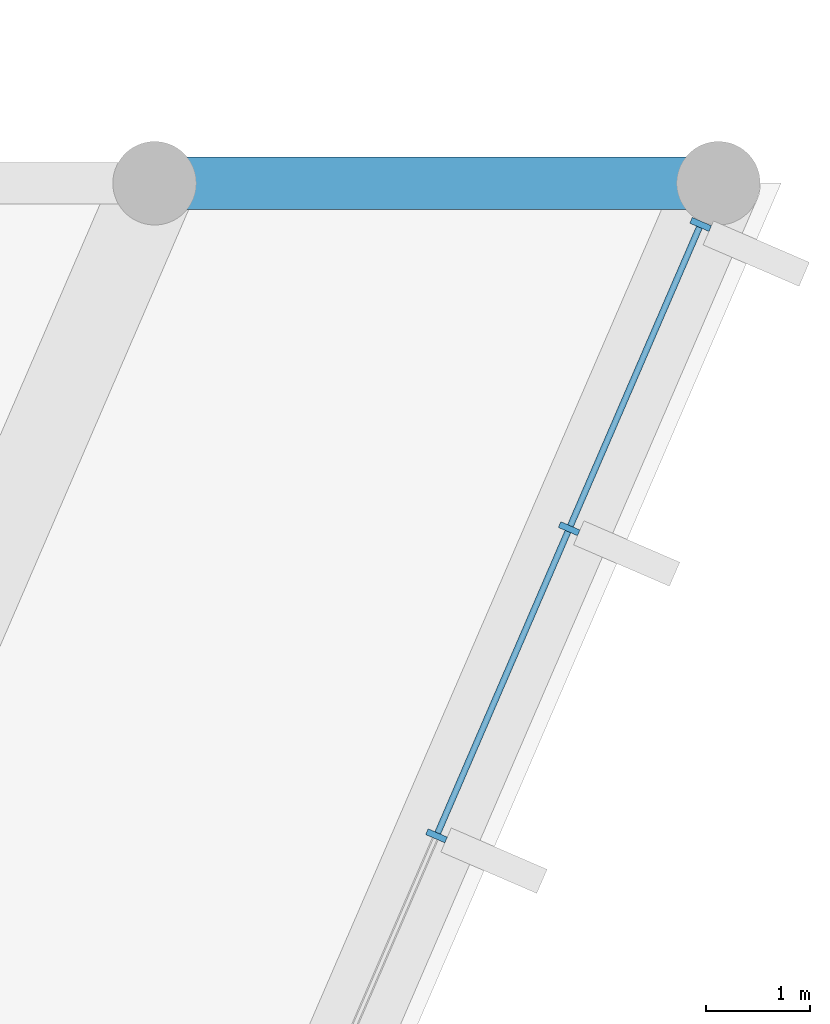
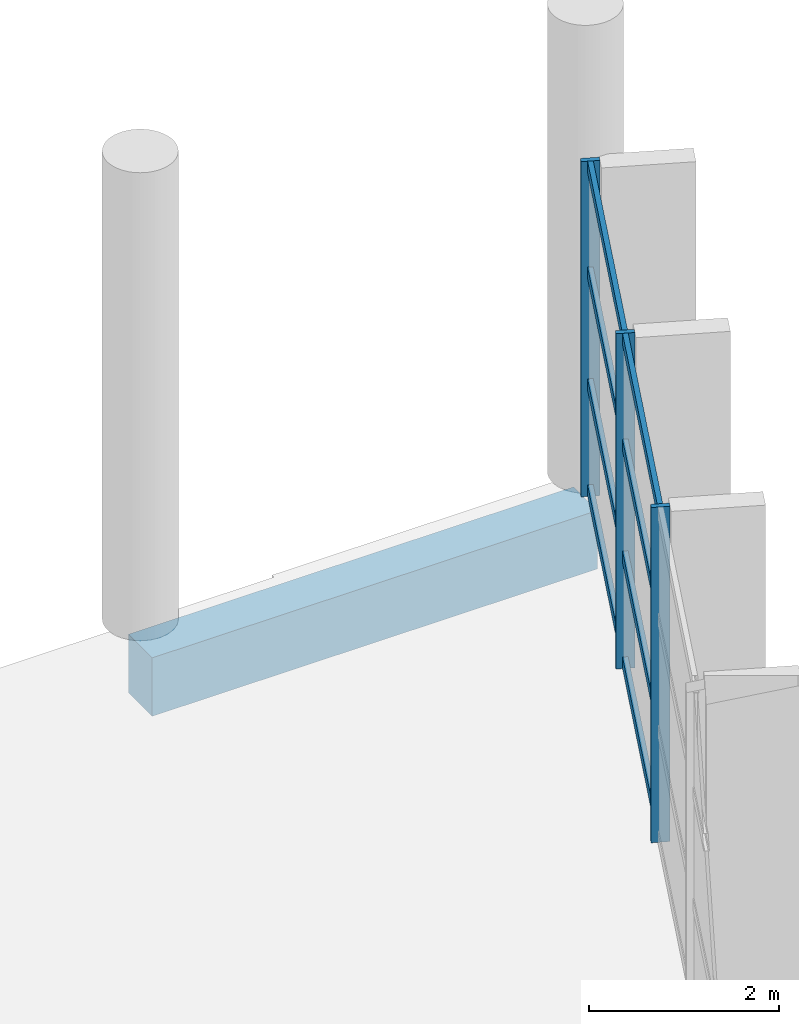
# One storey, part 52 of 249: 11 members, 1 beam, 1 element without a shape of its own.
"""IFC4 building model written with IfcOpenShell, lengths in metres."""

import ifcopenshell
import ifcopenshell.guid

model = None  # the IFC model being written
_history = None  # IfcOwnerHistory: only IFC2X3 demands one
_inside = {}  # id of a spatial element -> (the spatial element, [elements in it])
_under = {}  # id of a project, library or spatial element -> (it, [spatial elements below it])
_declared = {}  # id of a project -> (the project, [libraries it declares])
_typed = {}  # id of a type object -> (the type object, [elements of that type])
_made_of = {}  # id of a material, layer set ... -> (it, [elements and type objects made of it])


def new_model(schema):
    """Start an empty IFC model of exactly this schema.

    Asked for "IFC4X3", IfcOpenShell would pick the latest addendum, in which some entities
    have other attributes; the version numbers below select the first issue.
    IFC2X3 requires an IfcOwnerHistory on every rooted entity: one is made here for all.
    """
    global model, _history
    if schema == "IFC4X3":
        model = ifcopenshell.file(schema_version=(4, 3, 0, 0))
    else:
        model = ifcopenshell.file(schema=schema)
    _inside.clear()
    _under.clear()
    _declared.clear()
    _typed.clear()
    _made_of.clear()
    _history = None
    if model.schema == "IFC2X3":
        org = make("IfcOrganization", Name="unknown")
        user = make(
            "IfcPersonAndOrganization",
            ThePerson=make("IfcPerson", FamilyName="unknown"),
            TheOrganization=org,
        )
        app = make(
            "IfcApplication",
            ApplicationDeveloper=org,
            Version="unknown",
            ApplicationFullName="unknown",
            ApplicationIdentifier="unknown",
        )
        _history = make(
            "IfcOwnerHistory",
            OwningUser=user,
            OwningApplication=app,
            ChangeAction="ADDED",
            CreationDate=0,
        )
    return model


def make(cls, **values):
    """One entity of the class cls with the attributes given. An attribute that is None is left unset."""
    return model.create_entity(
        cls, **{name: value for name, value in values.items() if value is not None}
    )


def rooted(cls, **values):
    """An entity with a GlobalId (a new one), such as an element, a storey or a relation."""
    return make(cls, GlobalId=ifcopenshell.guid.new(), OwnerHistory=_history, **values)


def si_unit(unit_type, name, prefix=None):
    """IfcSIUnit, for example si_unit("LENGTHUNIT", "METRE", prefix="MILLI")."""
    return make("IfcSIUnit", UnitType=unit_type, Prefix=prefix, Name=name)


def assignment(units):
    """IfcUnitAssignment: the units of a project."""
    return None if units is None else make("IfcUnitAssignment", Units=units)


def point(xyz):
    """IfcCartesianPoint."""
    return None if xyz is None else make("IfcCartesianPoint", Coordinates=xyz)


def direction(xyz):
    """IfcDirection."""
    return None if xyz is None else make("IfcDirection", DirectionRatios=xyz)


def frame(location, z_axis=None, x_axis=None):
    """IfcAxis2Placement3D, a coordinate frame: its origin and axes. An axis left out is left unset."""
    return make(
        "IfcAxis2Placement3D",
        Location=point(location),
        Axis=direction(z_axis),
        RefDirection=direction(x_axis),
    )


def frame_2d(location, x_axis=None):
    """IfcAxis2Placement2D, a coordinate frame in the plane: its origin and x axis."""
    return make(
        "IfcAxis2Placement2D", Location=point(location), RefDirection=direction(x_axis)
    )


def origin():
    """The frame at (0, 0, 0) with its axes left unset."""
    return frame((0.0, 0.0, 0.0))


def origin_2d():
    """The frame at (0, 0) in the plane with its x axis left unset."""
    return frame_2d((0.0, 0.0))


def place(relative_to, where):
    """IfcLocalPlacement: puts the frame where relative to a parent placement (None: the world)."""
    return make(
        "IfcLocalPlacement", PlacementRelTo=relative_to, RelativePlacement=where
    )


def context(
    kind, dimensions, precision=None, world=None, true_north=None, identifier=None
):
    """IfcGeometricRepresentationContext, for example the 3D "Model" context."""
    return make(
        "IfcGeometricRepresentationContext",
        ContextIdentifier=identifier,
        ContextType=kind,
        CoordinateSpaceDimension=dimensions,
        Precision=precision,
        WorldCoordinateSystem=world,
        TrueNorth=true_north,
    )


def subcontext(parent, identifier, kind, view, scale=None):
    """IfcGeometricRepresentationSubContext, for example "Body" below "Model"."""
    return make(
        "IfcGeometricRepresentationSubContext",
        ContextIdentifier=identifier,
        ContextType=kind,
        ParentContext=parent,
        TargetScale=scale,
        TargetView=view,
    )


def project(units=None, contexts=None):
    """IfcProject with its units and contexts."""
    return rooted(
        "IfcProject",
        Name="project",
        RepresentationContexts=contexts,
        UnitsInContext=assignment(units),
    )


def spatial(cls, under=None, at=None, **own):
    """A site, building, storey or space (cls), placed at a placement, below another one or the project."""
    s = rooted(cls, ObjectPlacement=at, **own)
    if under is not None:
        _under.setdefault(under.id(), (under, []))[1].append(s)
    return s


def profile(cls, at=None, kind="AREA", **sizes):
    """A parametric profile (cls). Its sizes go by their IFC names, for example OverallWidth=200.0."""
    return make(cls, ProfileType=kind, Position=at, **sizes)


def rectangle(**sizes):
    """IfcRectangleProfileDef."""
    return profile("IfcRectangleProfileDef", **sizes)


def extrude(swept, where, along, depth):
    """IfcExtrudedAreaSolid: the profile swept, set in the frame where, extruded along a direction by depth."""
    return make(
        "IfcExtrudedAreaSolid",
        SweptArea=swept,
        Position=where,
        ExtrudedDirection=direction(along),
        Depth=depth,
    )


def shape(context_of_items, identifier, shape_type, items):
    """IfcShapeRepresentation: the items that make up one representation, for example the "Body"."""
    return make(
        "IfcShapeRepresentation",
        ContextOfItems=context_of_items,
        RepresentationIdentifier=identifier,
        RepresentationType=shape_type,
        Items=items,
    )


def material(Name=None, Category=None):
    """IfcMaterial."""
    return make("IfcMaterial", Name=Name, Category=Category)


def layer(
    of_material, thickness, ventilated=None, Name=None, Category=None, Priority=None
):
    """IfcMaterialLayer: one layer of a wall or slab, of a material (None: an air gap)."""
    return make(
        "IfcMaterialLayer",
        Material=of_material,
        LayerThickness=thickness,
        IsVentilated=ventilated,
        Name=Name,
        Category=Category,
        Priority=Priority,
    )


def layer_set(layers, Name=None):
    """IfcMaterialLayerSet."""
    return make("IfcMaterialLayerSet", MaterialLayers=layers, LayerSetName=Name)


def material_profile(
    of_material, cross_section, Name=None, Category=None, Priority=None
):
    """IfcMaterialProfile: a cross section and its material."""
    return make(
        "IfcMaterialProfile",
        Name=Name,
        Material=of_material,
        Profile=cross_section,
        Priority=Priority,
        Category=Category,
    )


def profile_set(profiles, Name=None, composite=None):
    """IfcMaterialProfileSet."""
    return make(
        "IfcMaterialProfileSet",
        Name=Name,
        MaterialProfiles=profiles,
        CompositeProfile=composite,
    )


def made_of(thing, what):
    """Note that an element or type object is made of a material, layer set ...; save() writes the relation."""
    if what is not None:
        _made_of.setdefault(what.id(), (what, []))[1].append(thing)
    return thing


def type_object(cls, material=None, **own):
    """A type object (cls), such as IfcWallType, which elements share."""
    return made_of(rooted(cls, **own), material)


def element(
    cls,
    number,
    at=None,
    inside=None,
    cuts=None,
    type_object=None,
    material=None,
    context=None,
    identifier="Body",
    shape_type=None,
    held_by="IfcProductDefinitionShape",
    body=None,
    shapes=None,
    **own,
):
    """One element of the class cls, such as IfcWall. Its Tag is "e" and its number.

    at: its placement. inside: the storey or other place that contains it. cuts: it is an
    opening in that element (IfcRelVoidsElement). A single representation is given by context,
    identifier, shape_type and body (its items); several are given by shapes. held_by: the class
    of the entity that holds the representations. save() writes the other relations.
    """
    e = rooted(cls, Tag="e%d" % number, ObjectPlacement=at, **own)
    if body is not None:
        shapes = [shape(context, identifier, shape_type, body)]
    if shapes is not None:
        e.Representation = make(held_by, Representations=shapes)
    if inside is not None:
        _inside.setdefault(inside.id(), (inside, []))[1].append(e)
    if cuts is not None:
        rooted(
            "IfcRelVoidsElement", RelatingBuildingElement=cuts, RelatedOpeningElement=e
        )
    if type_object is not None:
        _typed.setdefault(type_object.id(), (type_object, []))[1].append(e)
    return made_of(e, material)


def aggregate(whole, parts):
    """IfcRelAggregates: a whole, such as a stair, and the parts it consists of."""
    return rooted("IfcRelAggregates", RelatingObject=whole, RelatedObjects=parts)


def save(model, path):
    """Write the relations noted so far, then the file.

    IfcRelAggregates (storeys below a building ...), IfcRelContainedInSpatialStructure (elements
    in a storey), IfcRelDefinesByType, IfcRelAssociatesMaterial and IfcRelDeclares: one each for
    every whole, place, type object, material and project.
    """
    for whole, parts in _under.values():
        aggregate(whole, parts)
    for where, things in _inside.values():
        rooted(
            "IfcRelContainedInSpatialStructure",
            RelatedElements=things,
            RelatingStructure=where,
        )
    for kind, things in _typed.values():
        rooted("IfcRelDefinesByType", RelatedObjects=things, RelatingType=kind)
    for what, things in _made_of.values():
        rooted("IfcRelAssociatesMaterial", RelatedObjects=things, RelatingMaterial=what)
    for by, libraries in _declared.values():
        rooted("IfcRelDeclares", RelatingContext=by, RelatedDefinitions=libraries)
    model.write(path)


model = new_model("IFC4")

# Units and contexts
model_context = context("Model", 3, precision=1e-05, world=origin(), true_north=direction((0.0, 1.0)))
body_context = subcontext(model_context, "Body", "Model", "MODEL_VIEW")
ifc_project = project(units=[si_unit("LENGTHUNIT", "METRE"), si_unit("AREAUNIT", "SQUARE_METRE"), si_unit("VOLUMEUNIT", "CUBIC_METRE"), si_unit("PLANEANGLEUNIT", "RADIAN"), si_unit("MASSUNIT", "GRAM", prefix="KILO")], contexts=[model_context])

# Site, building, storey
site_placement = place(None, origin())
site = spatial("IfcSite", under=ifc_project, at=site_placement, CompositionType="ELEMENT")
building_placement = place(site_placement, origin())
building = spatial("IfcBuilding", under=site, at=building_placement, Name="Meseta Stadium", CompositionType="ELEMENT")
storey_placement = place(building_placement, frame((0.0, 0.0, 12.0)))
storey = spatial("IfcBuildingStorey", under=building, at=storey_placement, Name="L02", CompositionType="ELEMENT", Elevation=12.0)

# Beam
ifc_material_1 = material(Name="Concrete C40/50", Category="concrete")
ifc_material_profile_1 = material_profile(ifc_material_1, rectangle(XDim=0.5, YDim=0.75, at=origin_2d()), Name="RC 500x750")
ifc_profile_set_1 = profile_set([ifc_material_profile_1], Name="Concrete C40/50")
beam_type = type_object("IfcBeamType", Name="RC beam 500x750", PredefinedType="BEAM", material=ifc_profile_set_1)
beam_placement = place(storey_placement, frame((108.0, -6.25, -0.72509765625), z_axis=(1.0, 0.0, 0.0), x_axis=(0.0, 1.0, 0.0)))
element("IfcBeam", 1, at=beam_placement, inside=storey, type_object=beam_type, Name="L02 radial beam frame 4 line Q to O", PredefinedType="BEAM", context=body_context, shape_type="SweptSolid", body=[
    extrude(rectangle(XDim=0.5, YDim=0.75, at=origin_2d()), origin(), (0.0, 0.0, 1.0), 5.39990234375),
])

# Curtain wall, members
ifc_material_2 = material(Name="Aluminium", Category="aluminium")
ifc_layer = layer(ifc_material_2, 0.199951171875)
ifc_layer_set = layer_set([ifc_layer], Name="Ring shopfront curtain wall")
curtain_wall_type = type_object("IfcCurtainWallType", Name="Ring shopfront curtain wall", PredefinedType="NOTDEFINED", material=ifc_layer_set)
curtain_wall_placement = place(storey_placement, origin())
curtain_wall = element("IfcCurtainWall", 2, at=curtain_wall_placement, inside=storey, type_object=curtain_wall_type, Name="Ring glazing L02 F03", PredefinedType="NOTDEFINED")
ifc_material_3 = material(Name="Aluminium", Category="aluminium")
ifc_material_profile_2 = material_profile(ifc_material_3, rectangle(XDim=0.199951171875, YDim=0.06005859375, at=origin_2d()), Name="CW 200x60")
ifc_profile_set_2 = profile_set([ifc_material_profile_2], Name="Aluminium")
member_type_1 = type_object("IfcMemberType", Name="Ring CW mullion 60x200", PredefinedType="MULLION", material=ifc_profile_set_2)
member_1_placement = place(storey_placement, frame((110.699951171875, -12.5, 0.0), z_axis=(0.0, 0.0, 1.0), x_axis=(-0.91799986854, 0.396580687073, 0.0)))
member_1 = element("IfcMember", 3, at=member_1_placement, type_object=member_type_1, Name="CWR1 mullion 3", PredefinedType="MULLION", context=body_context, shape_type="SweptSolid", body=[
    extrude(rectangle(XDim=0.199951171875, YDim=0.06005859375, at=origin_2d()), origin(), (0.0, 0.0, 1.0), 4.300048828125),
])
member_2_placement = place(storey_placement, frame((111.970703125, -9.55859375, 0.0), z_axis=(0.0, 0.0, 1.0), x_axis=(-0.91799986854, 0.396580687073, 0.0)))
member_2 = element("IfcMember", 4, at=member_2_placement, type_object=member_type_1, Name="CWR1 mullion 4", PredefinedType="MULLION", context=body_context, shape_type="SweptSolid", body=[
    extrude(rectangle(XDim=0.199951171875, YDim=0.06005859375, at=origin_2d()), origin(), (0.0, 0.0, 1.0), 4.300048828125),
])
member_3_placement = place(storey_placement, frame((113.2294921875, -6.644775390625, 0.0), z_axis=(0.0, 0.0, 1.0), x_axis=(-0.91799986854, 0.396580687073, 0.0)))
member_3 = element("IfcMember", 5, at=member_3_placement, type_object=member_type_1, Name="CWR1 mullion 5", PredefinedType="MULLION", context=body_context, shape_type="SweptSolid", body=[
    extrude(rectangle(XDim=0.199951171875, YDim=0.06005859375, at=origin_2d()), origin(), (0.0, 0.0, 1.0), 4.300048828125),
])
ifc_material_4 = material(Name="Aluminium", Category="aluminium")
ifc_material_profile_3 = material_profile(ifc_material_4, rectangle(XDim=0.06005859375, YDim=0.14990234375, at=origin_2d()), Name="CW 60x150")
ifc_profile_set_3 = profile_set([ifc_material_profile_3], Name="Aluminium")
member_type_2 = type_object("IfcMemberType", Name="Ring CW transom 60x150", PredefinedType="USERDEFINED", material=ifc_profile_set_3)
member_4_placement = place(storey_placement, frame((110.7119140625, -12.472412109375, 0.074951171875), z_axis=(0.396569883564, 0.918004535637, 0.0), x_axis=(-0.918004535637, 0.396569883564, 0.0)))
member_4 = element("IfcMember", 6, at=member_4_placement, type_object=member_type_2, Name="CWR1 transom 3.1", ObjectType="TRANSOM", PredefinedType="USERDEFINED", context=body_context, shape_type="SweptSolid", body=[
    extrude(rectangle(XDim=0.06005859375, YDim=0.14990234375, at=origin_2d()), origin(), (0.0, 0.0, 1.0), 3.14404296875),
])
member_5_placement = place(storey_placement, frame((110.7119140625, -12.472412109375, 1.433349609375), z_axis=(0.396569883564, 0.918004535637, 0.0), x_axis=(-0.918004535637, 0.396569883564, 0.0)))
member_5 = element("IfcMember", 7, at=member_5_placement, type_object=member_type_2, Name="CWR1 transom 3.2", ObjectType="TRANSOM", PredefinedType="USERDEFINED", context=body_context, shape_type="SweptSolid", body=[
    extrude(rectangle(XDim=0.06005859375, YDim=0.14990234375, at=origin_2d()), origin(), (0.0, 0.0, 1.0), 3.14404296875),
])
member_6_placement = place(storey_placement, frame((110.7119140625, -12.472412109375, 2.86669921875), z_axis=(0.396569883564, 0.918004535637, 0.0), x_axis=(-0.918004535637, 0.396569883564, 0.0)))
member_6 = element("IfcMember", 8, at=member_6_placement, type_object=member_type_2, Name="CWR1 transom 3.3", ObjectType="TRANSOM", PredefinedType="USERDEFINED", context=body_context, shape_type="SweptSolid", body=[
    extrude(rectangle(XDim=0.06005859375, YDim=0.14990234375, at=origin_2d()), origin(), (0.0, 0.0, 1.0), 3.14404296875),
])
member_7_placement = place(storey_placement, frame((110.7119140625, -12.472412109375, 4.22509765625), z_axis=(0.396569883564, 0.918004535637, 0.0), x_axis=(-0.918004535637, 0.396569883564, 0.0)))
member_7 = element("IfcMember", 9, at=member_7_placement, type_object=member_type_2, Name="CWR1 transom 3.4", ObjectType="TRANSOM", PredefinedType="USERDEFINED", context=body_context, shape_type="SweptSolid", body=[
    extrude(rectangle(XDim=0.06005859375, YDim=0.14990234375, at=origin_2d()), origin(), (0.0, 0.0, 1.0), 3.14404296875),
])
member_8_placement = place(storey_placement, frame((111.982666015625, -9.531005859375, 0.074951171875), z_axis=(0.396557660608, 0.91800981575, 0.0), x_axis=(-0.91800981575, 0.396557660608, 0.0)))
member_8 = element("IfcMember", 10, at=member_8_placement, type_object=member_type_2, Name="CWR1 transom 4.1", ObjectType="TRANSOM", PredefinedType="USERDEFINED", context=body_context, shape_type="SweptSolid", body=[
    extrude(rectangle(XDim=0.06005859375, YDim=0.14990234375, at=origin_2d()), origin(), (0.0, 0.0, 1.0), 3.114013671875),
])
member_9_placement = place(storey_placement, frame((111.982666015625, -9.531005859375, 1.433349609375), z_axis=(0.396557660608, 0.91800981575, 0.0), x_axis=(-0.91800981575, 0.396557660608, 0.0)))
member_9 = element("IfcMember", 11, at=member_9_placement, type_object=member_type_2, Name="CWR1 transom 4.2", ObjectType="TRANSOM", PredefinedType="USERDEFINED", context=body_context, shape_type="SweptSolid", body=[
    extrude(rectangle(XDim=0.06005859375, YDim=0.14990234375, at=origin_2d()), origin(), (0.0, 0.0, 1.0), 3.114013671875),
])
member_10_placement = place(storey_placement, frame((111.982666015625, -9.531005859375, 2.86669921875), z_axis=(0.396557660608, 0.91800981575, 0.0), x_axis=(-0.91800981575, 0.396557660608, 0.0)))
member_10 = element("IfcMember", 12, at=member_10_placement, type_object=member_type_2, Name="CWR1 transom 4.3", ObjectType="TRANSOM", PredefinedType="USERDEFINED", context=body_context, shape_type="SweptSolid", body=[
    extrude(rectangle(XDim=0.06005859375, YDim=0.14990234375, at=origin_2d()), origin(), (0.0, 0.0, 1.0), 3.114013671875),
])
member_11_placement = place(storey_placement, frame((111.982666015625, -9.531005859375, 4.22509765625), z_axis=(0.396557660608, 0.91800981575, 0.0), x_axis=(-0.91800981575, 0.396557660608, 0.0)))
member_11 = element("IfcMember", 13, at=member_11_placement, type_object=member_type_2, Name="CWR1 transom 4.4", ObjectType="TRANSOM", PredefinedType="USERDEFINED", context=body_context, shape_type="SweptSolid", body=[
    extrude(rectangle(XDim=0.06005859375, YDim=0.14990234375, at=origin_2d()), origin(), (0.0, 0.0, 1.0), 3.114013671875),
])
aggregate(curtain_wall, [member_1, member_2, member_3, member_4, member_5, member_6, member_7, member_8, member_9, member_10, member_11])

save(model, "model.ifc")
